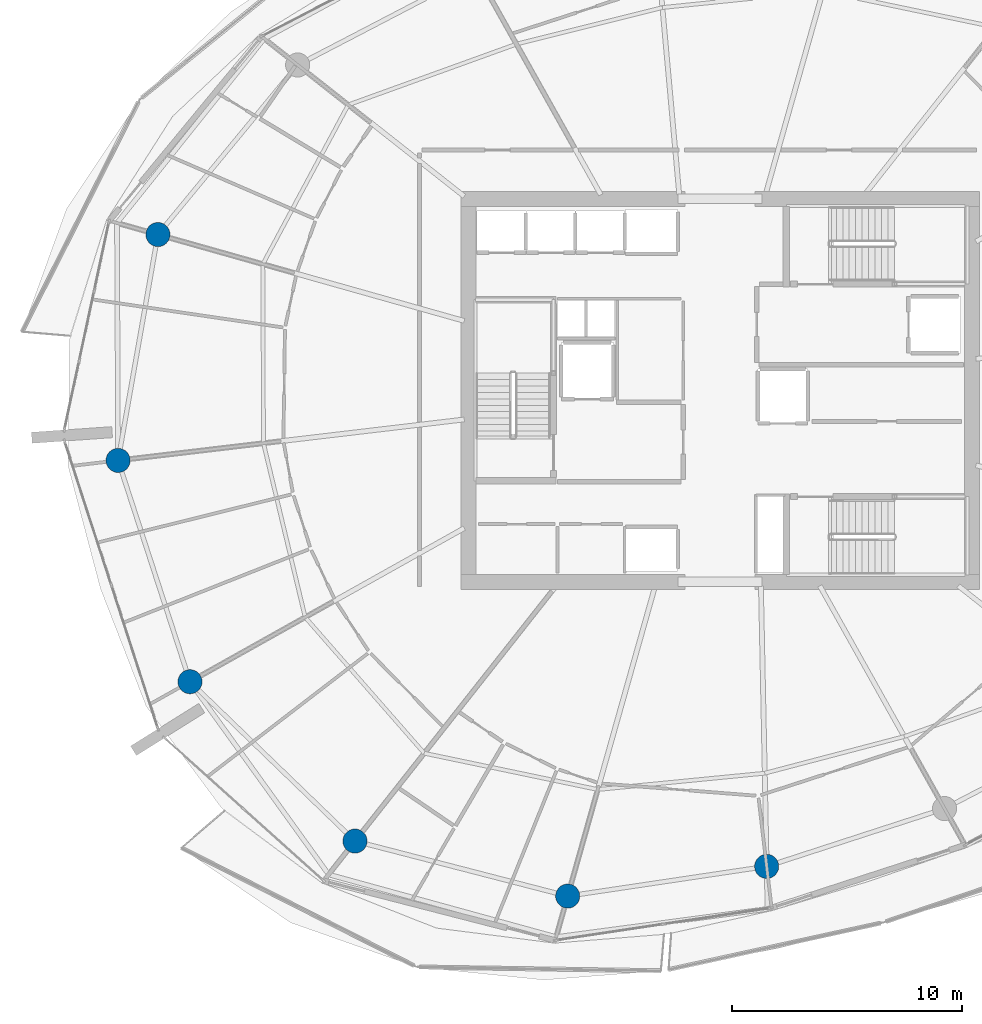
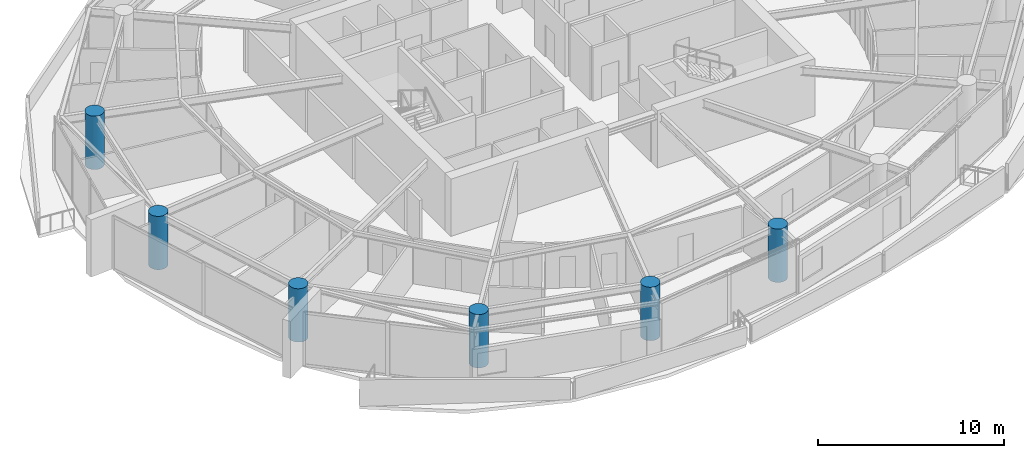
# One storey, part 1 of 20: 6 columns.
"""IFC4 building model written with IfcOpenShell, lengths in metres."""

from ifc_helpers import new_model, si_unit, direction, frame, origin, origin_2d, place, context, subcontext, project, spatial, circle, extrude, material, material_profile, profile_set, type_object, element, save


model = new_model("IFC4")

# Units and contexts
model_context = context("Model", 3, precision=1e-05, world=origin(), true_north=direction((0.0, 1.0)))
body_context = subcontext(model_context, "Body", "Model", "MODEL_VIEW")
ifc_project = project(units=[si_unit("LENGTHUNIT", "METRE"), si_unit("AREAUNIT", "SQUARE_METRE"), si_unit("VOLUMEUNIT", "CUBIC_METRE"), si_unit("PLANEANGLEUNIT", "RADIAN"), si_unit("MASSUNIT", "GRAM", prefix="KILO")], contexts=[model_context])

# Site, building, storey
site_placement = place(None, origin())
site = spatial("IfcSite", under=ifc_project, at=site_placement, CompositionType="ELEMENT")
building_placement = place(site_placement, origin())
building = spatial("IfcBuilding", under=site, at=building_placement, Name="Kazma Halo Residences", CompositionType="ELEMENT")
storey_placement = place(building_placement, frame((0.0, 0.0, 217.800048828125)))
storey = spatial("IfcBuildingStorey", under=building, at=storey_placement, Name="L55", CompositionType="ELEMENT", Elevation=217.800048828125)

# Columns
ifc_material = material(Name="Concrete C80/95", Category="concrete")
ifc_material_profile = material_profile(ifc_material, circle(Radius=0.52490234375, at=origin_2d()), Name="CIRC1050")
ifc_profile_set = profile_set([ifc_material_profile], Name="Concrete C80/95")
column_type = type_object("IfcColumnType", Name="COL-PERIM-1050", PredefinedType="COLUMN", material=ifc_profile_set)
for number, where, z_axis, x_axis, name in (
    (1, (23.980224609375, 48.7744140625, 0.0), (0.0, 0.0, 1.0), (1.0, 0.0, 0.0), "L55 perimeter ring column P07"),
    (2, (22.248291015625, 38.9521484375, 0.0), (0.0, 0.0, 1.0), (1.0, 0.0, 0.0), "L55 perimeter ring column P08"),
    (3, (25.375, 29.329345703125, 0.0), (0.0, 0.0, 1.0), (1.0, 0.0, 0.0), "L55 perimeter ring column P09"),
    (4, (32.54931640625, 22.401123046875, 0.0), (0.0, 0.0, 1.0), (1.0, 0.0, 0.0), "L55 perimeter ring column P10"),
    (5, (41.797607421875, 20.00830078125, 0.0), (0.0, 0.0, 1.0), (1.0, 0.0, 0.0), "L55 perimeter ring column P11"),
    (6, (50.449951171875, 21.30029296875, 0.0), (0.0, 0.0, 1.0), (1.0, 0.0, 0.0), "L55 perimeter ring column P12"),
):
    element("IfcColumn", number, at=place(storey_placement, frame(where, z_axis=z_axis, x_axis=x_axis)), inside=storey, type_object=column_type, Name=name, PredefinedType="COLUMN", context=body_context, shape_type="SweptSolid", body=[
        extrude(circle(Radius=0.52490234375, at=origin_2d()), origin(), (0.0, 0.0, 1.0), 3.5),
    ])

save(model, "model.ifc")
